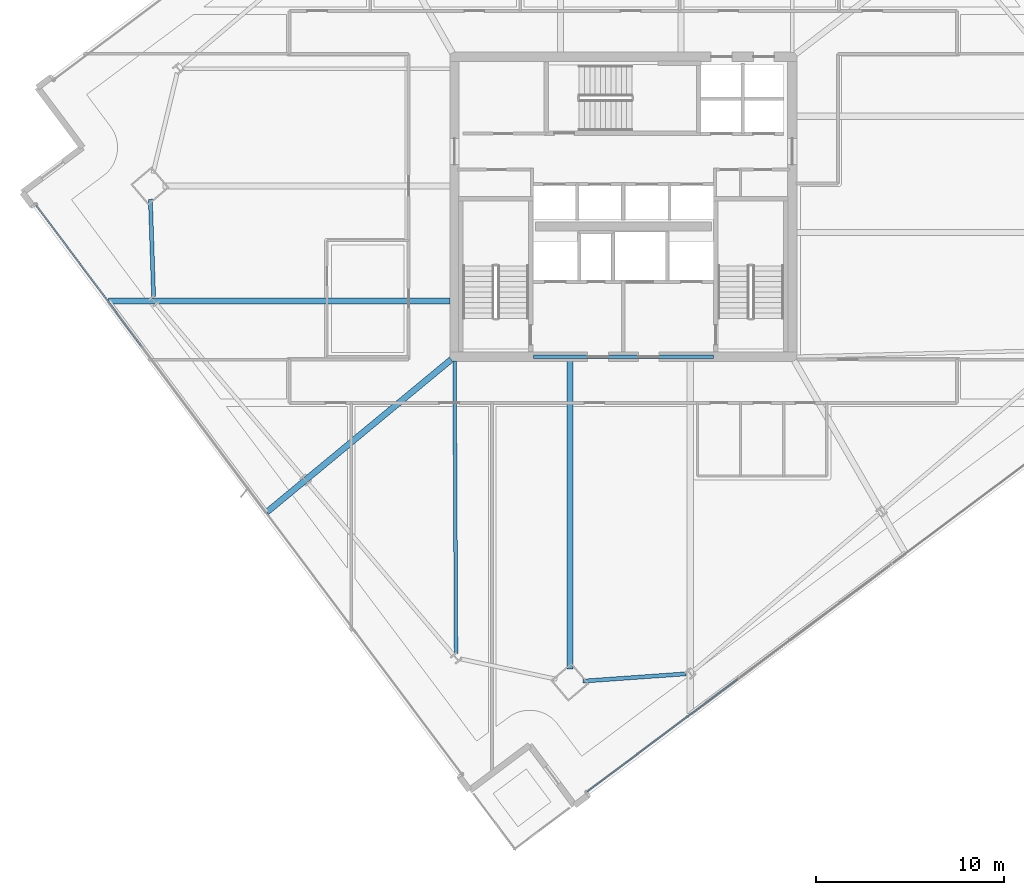
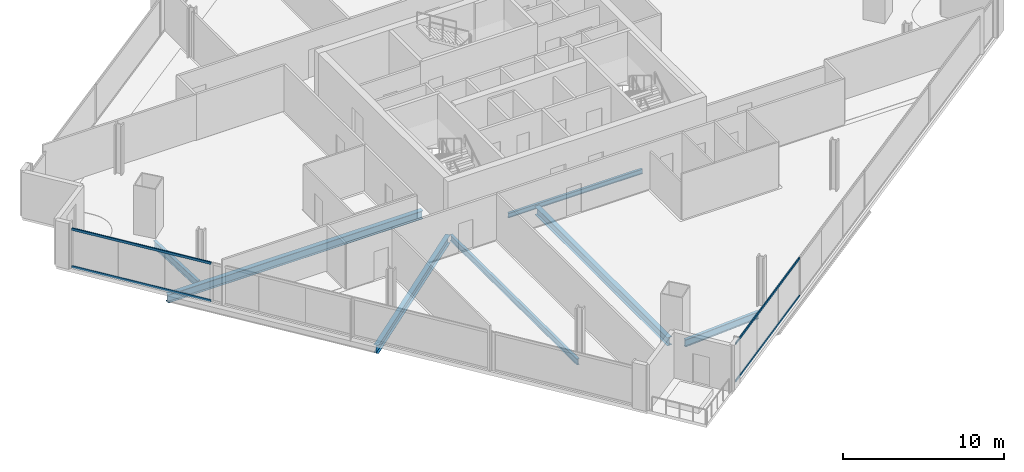
# One storey, part 5 of 32: 7 beams, 4 members, 2 elements without a shape of their own.
"""IFC4 building model written with IfcOpenShell, lengths in metres."""

from ifc_helpers import new_model, si_unit, direction, frame, origin, origin_2d, place, context, subcontext, project, spatial, hollow_rectangle, i_section, extrude, material, material_profile, profile_set, type_object, element, aggregate, save


model = new_model("IFC4")

# Units and contexts
model_context = context("Model", 3, precision=1e-05, world=origin(), true_north=direction((0.0, 1.0)))
body_context = subcontext(model_context, "Body", "Model", "MODEL_VIEW")
ifc_project = project(units=[si_unit("LENGTHUNIT", "METRE"), si_unit("AREAUNIT", "SQUARE_METRE"), si_unit("VOLUMEUNIT", "CUBIC_METRE"), si_unit("PLANEANGLEUNIT", "RADIAN"), si_unit("MASSUNIT", "GRAM", prefix="KILO")], contexts=[model_context])

# Site, building, storey
site_placement = place(None, origin())
site = spatial("IfcSite", under=ifc_project, at=site_placement, CompositionType="ELEMENT")
building_placement = place(site_placement, origin())
building = spatial("IfcBuilding", under=site, at=building_placement, Name="Haldenkirk Collegiate Tower", CompositionType="ELEMENT")
storey_placement = place(building_placement, frame((0.0, 0.0, 151.949951171875)))
storey = spatial("IfcBuildingStorey", under=building, at=storey_placement, Name="L37", CompositionType="ELEMENT", Elevation=151.949951171875)

# Beams
ifc_material_1 = material(Name="Steel ASTM A992 Grade 50", Category="steel")
ifc_material_profile_1 = material_profile(ifc_material_1, i_section(OverallWidth=0.324951171875, OverallDepth=0.615966796875, WebThickness=0.013916015625, FlangeThickness=0.021484375, at=origin_2d()), Name="W24X117")
ifc_profile_set_1 = profile_set([ifc_material_profile_1], Name="Steel ASTM A992 Grade 50")
beam_type_1 = type_object("IfcBeamType", Name="BM-GIRDER-W24X117", PredefinedType="BEAM", material=ifc_profile_set_1)
beam_1_placement = place(storey_placement, frame((33.149169921875, 1.36279296875, -0.597900390625), z_axis=(0.0, 1.0, 0.0), x_axis=(-1.0, 0.0, 0.0)))
element("IfcBeam", 1, at=beam_1_placement, inside=storey, type_object=beam_type_1, Name="L37 primary floor girder 01", PredefinedType="BEAM", context=body_context, shape_type="SweptSolid", body=[
    extrude(i_section(OverallWidth=0.324951171875, OverallDepth=0.615966796875, WebThickness=0.013916015625, FlangeThickness=0.021484375, at=origin_2d()), origin(), (0.0, 0.0, 1.0), 16.4072265625),
])
beam_2_placement = place(storey_placement, frame((8.556396484375, 20.9833984375, -0.597900390625), z_axis=(1.0, 0.0, 0.0), x_axis=(0.0, 1.0, 0.0)))
element("IfcBeam", 2, at=beam_2_placement, inside=storey, type_object=beam_type_1, Name="L37 primary floor girder 14", PredefinedType="BEAM", context=body_context, shape_type="SweptSolid", body=[
    extrude(i_section(OverallWidth=0.324951171875, OverallDepth=0.615966796875, WebThickness=0.013916015625, FlangeThickness=0.021484375, at=origin_2d()), origin(), (0.0, 0.0, 1.0), 18.213623046875),
])
beam_3_placement = place(storey_placement, frame((16.98681640625, 9.71435546875, -0.597900390625), z_axis=(0.770429947928, 0.637524662531, 0.0), x_axis=(-0.637524662531, 0.770429947928, 0.0)))
element("IfcBeam", 3, at=beam_3_placement, inside=storey, type_object=beam_type_1, Name="L37 primary floor girder 15", PredefinedType="BEAM", context=body_context, shape_type="SweptSolid", body=[
    extrude(i_section(OverallWidth=0.324951171875, OverallDepth=0.615966796875, WebThickness=0.013916015625, FlangeThickness=0.021484375, at=origin_2d()), origin(), (0.0, 0.0, 1.0), 12.766845703125),
])
ifc_material_profile_2 = material_profile(ifc_material_1, i_section(OverallWidth=0.18994140625, OverallDepth=0.45703125, WebThickness=0.009033203125, FlangeThickness=0.014404296875, at=origin_2d()), Name="W18X50")
ifc_profile_set_2 = profile_set([ifc_material_profile_2], Name="Steel ASTM A992 Grade 50")
beam_type_2 = type_object("IfcBeamType", Name="BM-JOIST-W18X50", PredefinedType="JOIST", material=ifc_profile_set_2)
beam_4_placement = place(storey_placement, frame((27.081787109375, 2.17138671875, -0.5185546875), z_axis=(-0.005164896989, 0.999986661831, 0.0), x_axis=(-0.999986661831, -0.005164896989, 0.0)))
element("IfcBeam", 4, at=beam_4_placement, inside=storey, type_object=beam_type_2, Name="L37 composite floor joist 16", PredefinedType="JOIST", context=body_context, shape_type="SweptSolid", body=[
    extrude(i_section(OverallWidth=0.18994140625, OverallDepth=0.45703125, WebThickness=0.009033203125, FlangeThickness=0.014404296875, at=origin_2d()), origin(), (0.0, 0.0, 1.0), 15.598876953125),
])
ifc_material_profile_3 = material_profile(ifc_material_1, i_section(OverallWidth=0.1708984375, OverallDepth=0.35595703125, WebThickness=0.007080078125, FlangeThickness=0.01171875, at=origin_2d()), Name="W14X34")
ifc_profile_set_3 = profile_set([ifc_material_profile_3], Name="Steel ASTM A992 Grade 50")
beam_type_3 = type_object("IfcBeamType", Name="BM-LINTEL-W14X34", PredefinedType="LINTEL", material=ifc_profile_set_3)
beam_5_placement = place(storey_placement, frame((31.199951171875, 18.0, -0.468017578125), z_axis=(1.0, 0.0, 0.0), x_axis=(0.0, 1.0, 0.0)))
element("IfcBeam", 5, at=beam_5_placement, inside=storey, type_object=beam_type_3, Name="L37 south core coupling lintel", PredefinedType="LINTEL", context=body_context, shape_type="SweptSolid", body=[
    extrude(i_section(OverallWidth=0.1708984375, OverallDepth=0.35595703125, WebThickness=0.007080078125, FlangeThickness=0.01171875, at=origin_2d()), origin(), (0.0, 0.0, 1.0), 9.60009765625),
])
ifc_material_profile_4 = material_profile(ifc_material_1, i_section(OverallWidth=0.2119140625, OverallDepth=0.5439453125, WebThickness=0.01318359375, FlangeThickness=0.021240234375, at=origin_2d()), Name="W21X83")
ifc_profile_set_4 = profile_set([ifc_material_profile_4], Name="Steel ASTM A992 Grade 50")
beam_type_4 = type_object("IfcBeamType", Name="BM-SPANDREL-W21X83", PredefinedType="SPANDREL", material=ifc_profile_set_4)
beam_6_placement = place(storey_placement, frame((33.852294921875, 0.707763671875, -0.56201171875), z_axis=(0.997489017738, 0.070821320891, 0.0), x_axis=(-0.070821320891, 0.997489017738, 0.0)))
element("IfcBeam", 6, at=beam_6_placement, inside=storey, type_object=beam_type_4, Name="L37 perimeter spandrel beam 01", PredefinedType="SPANDREL", context=body_context, shape_type="SweptSolid", body=[
    extrude(i_section(OverallWidth=0.2119140625, OverallDepth=0.5439453125, WebThickness=0.01318359375, FlangeThickness=0.021240234375, at=origin_2d()), origin(), (0.0, 0.0, 1.0), 5.501953125),
])
beam_7_placement = place(storey_placement, frame((10.7841796875, 26.399169921875, -0.56201171875), z_axis=(0.033072037576, -0.999452970545, 0.0), x_axis=(0.999452970545, 0.033072037576, 0.0)))
element("IfcBeam", 7, at=beam_7_placement, inside=storey, type_object=beam_type_4, Name="L37 perimeter spandrel beam 13", PredefinedType="SPANDREL", context=body_context, shape_type="SweptSolid", body=[
    extrude(i_section(OverallWidth=0.2119140625, OverallDepth=0.5439453125, WebThickness=0.01318359375, FlangeThickness=0.021240234375, at=origin_2d()), origin(), (0.0, 0.0, 1.0), 5.189697265625),
])

# Curtain wall, members
ifc_material_2 = material(Name="Anodised architectural bronze aluminium", Category="aluminium")
curtain_wall_type_1 = type_object("IfcCurtainWallType", Name="CW-SYS2-CONCAVE", PredefinedType="USERDEFINED", material=ifc_material_2)
curtain_wall_1_placement = place(storey_placement, origin())
curtain_wall_1 = element("IfcCurtainWall", 8, at=curtain_wall_1_placement, inside=storey, type_object=curtain_wall_type_1, Name="L37 South concave recessed bronze-anodised curtain wall", ObjectType="UNITISED CURTAIN WALL", PredefinedType="USERDEFINED")
ifc_material_profile_5 = material_profile(ifc_material_2, hollow_rectangle(XDim=0.074951171875, YDim=0.159912109375, WallThickness=0.0048828125, at=origin_2d()), Name="CW-TRN-02")
ifc_profile_set_5 = profile_set([ifc_material_profile_5], Name="Anodised architectural bronze aluminium")
member_type_1 = type_object("IfcMemberType", Name="CW-TRN-02", PredefinedType="USERDEFINED", material=ifc_profile_set_5)
member_1_placement = place(storey_placement, frame((42.111328125, 0.823974609375, 0.03759765625), z_axis=(-0.800732007408, -0.599022747743, 0.0), x_axis=(0.599022747743, -0.800732007408, 0.0)))
member_1 = element("IfcMember", 9, at=member_1_placement, type_object=member_type_1, Name="CW-02 transom 4.1", ObjectType="TRANSOM", PredefinedType="USERDEFINED", context=body_context, shape_type="SweptSolid", body=[
    extrude(hollow_rectangle(XDim=0.074951171875, YDim=0.159912109375, WallThickness=0.0048828125, at=origin_2d()), origin(), (0.0, 0.0, 1.0), 10.03759765625),
])
member_2_placement = place(storey_placement, frame((42.111328125, 0.823974609375, 2.87353515625), z_axis=(-0.800732007408, -0.599022747743, 0.0), x_axis=(0.599022747743, -0.800732007408, 0.0)))
member_2 = element("IfcMember", 10, at=member_2_placement, type_object=member_type_1, Name="CW-02 transom 4.2", ObjectType="TRANSOM", PredefinedType="USERDEFINED", context=body_context, shape_type="SweptSolid", body=[
    extrude(hollow_rectangle(XDim=0.074951171875, YDim=0.159912109375, WallThickness=0.0048828125, at=origin_2d()), origin(), (0.0, 0.0, 1.0), 10.03759765625),
])
aggregate(curtain_wall_1, [member_1, member_2])

curtain_wall_type_2 = type_object("IfcCurtainWallType", Name="CW-SYS1-CONVEX-LOW", PredefinedType="USERDEFINED", material=ifc_material_2)
curtain_wall_2_placement = place(storey_placement, origin())
curtain_wall_2 = element("IfcCurtainWall", 11, at=curtain_wall_2_placement, inside=storey, type_object=curtain_wall_type_2, Name="L37 Lower tower convex bronze-framed unitised curtain wall", ObjectType="UNITISED CURTAIN WALL", PredefinedType="USERDEFINED")
ifc_material_profile_6 = material_profile(ifc_material_2, hollow_rectangle(XDim=0.080078125, YDim=0.179931640625, WallThickness=0.0048828125, at=origin_2d()), Name="CW-TRN-1A")
ifc_profile_set_6 = profile_set([ifc_material_profile_6], Name="Anodised architectural bronze aluminium")
member_type_2 = type_object("IfcMemberType", Name="CW-TRN-1A", PredefinedType="USERDEFINED", material=ifc_profile_set_6)
member_3_placement = place(storey_placement, frame((10.310791015625, 18.5712890625, 0.0400390625), z_axis=(-0.59901671627, 0.80073651948, 0.0), x_axis=(-0.80073651948, -0.59901671627, 0.0)))
member_3 = element("IfcMember", 12, at=member_3_placement, type_object=member_type_2, Name="CW-1A transom 4.1", ObjectType="TRANSOM", PredefinedType="USERDEFINED", context=body_context, shape_type="SweptSolid", body=[
    extrude(hollow_rectangle(XDim=0.080078125, YDim=0.179931640625, WallThickness=0.0048828125, at=origin_2d()), origin(), (0.0, 0.0, 1.0), 9.3798828125),
])
member_4_placement = place(storey_placement, frame((10.310791015625, 18.5712890625, 2.87109375), z_axis=(-0.59901671627, 0.80073651948, 0.0), x_axis=(-0.80073651948, -0.59901671627, 0.0)))
member_4 = element("IfcMember", 13, at=member_4_placement, type_object=member_type_2, Name="CW-1A transom 4.2", ObjectType="TRANSOM", PredefinedType="USERDEFINED", context=body_context, shape_type="SweptSolid", body=[
    extrude(hollow_rectangle(XDim=0.080078125, YDim=0.179931640625, WallThickness=0.0048828125, at=origin_2d()), origin(), (0.0, 0.0, 1.0), 9.3798828125),
])
aggregate(curtain_wall_2, [member_3, member_4])

save(model, "model.ifc")
